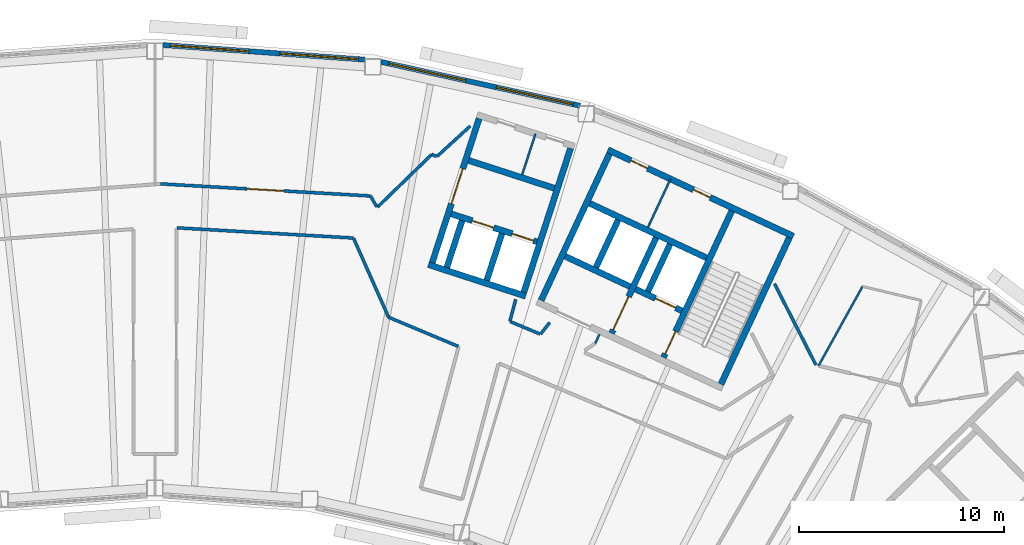
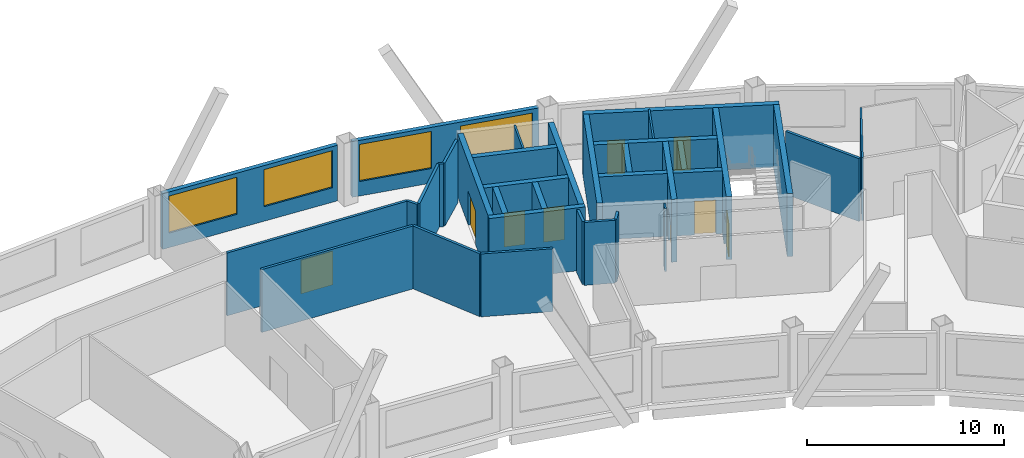
# One storey, part 9 of 13: 35 walls, 9 doors, 4 windows, 13 openings.
"""IFC4 building model written with IfcOpenShell, lengths in metres."""

from ifc_helpers import new_model, si_unit, direction, frame, frame_2d, origin, place, context, subcontext, project, spatial, rectangle, extrude, material, layer, layer_set, type_object, element, fill, save


model = new_model("IFC4")

# Units and contexts
model_context = context("Model", 3, precision=1e-05, world=origin(), true_north=direction((0.0, 1.0)))
body_context = subcontext(model_context, "Body", "Model", "MODEL_VIEW")
ifc_project = project(units=[si_unit("LENGTHUNIT", "METRE"), si_unit("AREAUNIT", "SQUARE_METRE"), si_unit("VOLUMEUNIT", "CUBIC_METRE"), si_unit("PLANEANGLEUNIT", "RADIAN"), si_unit("MASSUNIT", "GRAM", prefix="KILO")], contexts=[model_context])

# Site, building, storey
site_placement = place(None, origin())
site = spatial("IfcSite", under=ifc_project, at=site_placement, CompositionType="ELEMENT")
building_placement = place(site_placement, origin())
building = spatial("IfcBuilding", under=site, at=building_placement, Name="Tuul Gate Civic Tower", CompositionType="ELEMENT")
storey_placement = place(building_placement, frame((0.0, 0.0, 294.199951171875)))
storey = spatial("IfcBuildingStorey", under=building, at=storey_placement, Name="Level 66", CompositionType="ELEMENT", Elevation=294.199951171875)

# Wall, opening, door
ifc_material_1 = material(Name="Concrete C50/60", Category="concrete")
ifc_layer_1 = layer(ifc_material_1, 0.300048828125)
ifc_layer_set_1 = layer_set([ifc_layer_1], Name="Concrete C50/60")
wall_type_1 = type_object("IfcWallType", Name="Core wall C50/60", PredefinedType="SHEAR", material=ifc_layer_set_1)
wall_1_placement = place(storey_placement, frame((32.545654296875, -3.456787109375, 0.0), z_axis=(0.0, 0.0, 1.0), x_axis=(-0.906300357825, 0.42263419337, 0.0)))
wall_1 = element("IfcWall", 1, at=wall_1_placement, inside=storey, type_object=wall_type_1, Name="Core wall", PredefinedType="SHEAR", context=body_context, shape_type="SweptSolid", body=[
    extrude(rectangle(XDim=2.500244140625, YDim=0.300048828125, at=frame_2d((1.25, 0.0))), origin(), (0.0, 0.0, 1.0), 3.900146484375),
])
opening_1_placement = place(wall_1_placement, frame((0.324951171875, 0.0, 0.0)))
opening_1 = element("IfcOpeningElement", 2, at=opening_1_placement, cuts=wall_1, Name="Opening LD-FF-2", PredefinedType="OPENING", context=body_context, shape_type="SweptSolid", body=[
    extrude(rectangle(XDim=1.10009765625, YDim=2.10009765625, at=frame_2d((0.550048828125, 1.050048828125))), frame((0.0, 0.16015625, 0.0), z_axis=(0.0, -1.0, 0.0), x_axis=(1.0, 0.0, 0.0)), (0.0, 0.0, 1.0), 0.320068359375),
])
ifc_material_2 = material(Name="Stainless steel", Category="steel")
door_type_1 = type_object("IfcDoorType", Name="Landing door", OperationType="DOUBLE_DOOR_SLIDING", PredefinedType="DOOR", material=ifc_material_2)
door_1_placement = place(opening_1_placement, origin())
door_1 = element("IfcDoor", 3, at=door_1_placement, inside=storey, type_object=door_type_1, Name="Fire-fighting lift FF-2 landing door", OperationType="DOUBLE_DOOR_SLIDING", OverallHeight=2.10009765625, OverallWidth=1.10009765625, PredefinedType="DOOR", context=body_context, shape_type="SweptSolid", body=[
    extrude(rectangle(XDim=1.10009765625, YDim=2.10009765625, at=frame_2d((0.550048828125, 1.050048828125))), frame((0.0, 0.02490234375, 0.0), z_axis=(0.0, -1.0, 0.0), x_axis=(1.0, 0.0, 0.0)), (0.0, 0.0, 1.0), 0.050048828125),
])
fill(opening_1, door_1)

# Walls
wall_2_placement = place(storey_placement, frame((30.0078125, -2.2734375, 0.0), z_axis=(0.0, 0.0, 1.0), x_axis=(-0.90630071767, 0.422633421716, 0.0)))
element("IfcWall", 4, at=wall_2_placement, inside=storey, type_object=wall_type_1, Name="Core wall", PredefinedType="SHEAR", context=body_context, shape_type="SweptSolid", body=[
    extrude(rectangle(XDim=3.5, YDim=0.300048828125, at=frame_2d((1.75, 0.0))), origin(), (0.0, 0.0, 1.0), 3.900146484375),
])
wall_3_placement = place(storey_placement, frame((33.75, -0.873779296875, 0.0), z_axis=(0.0, 0.0, 1.0), x_axis=(-0.906300917592, 0.422632992999, 0.0)))
element("IfcWall", 5, at=wall_3_placement, inside=storey, type_object=wall_type_1, Name="Core wall", PredefinedType="SHEAR", context=body_context, shape_type="SweptSolid", body=[
    extrude(rectangle(XDim=6.300048828125, YDim=0.300048828125, at=frame_2d((3.14990234375, 0.0))), origin(), (0.0, 0.0, 1.0), 3.900146484375),
])

# Wall, openings, doors
wall_4_placement = place(storey_placement, frame((37.993408203125, 0.181884765625, 0.0), z_axis=(0.0, 0.0, 1.0), x_axis=(-0.906310338845, 0.422612789327, 0.0)))
wall_4 = element("IfcWall", 6, at=wall_4_placement, inside=storey, type_object=wall_type_1, Name="Core wall", PredefinedType="SHEAR", context=body_context, shape_type="SweptSolid", body=[
    extrude(rectangle(XDim=9.999755859375, YDim=0.300048828125, at=frame_2d((5.0, 0.0))), origin(), (0.0, 0.0, 1.0), 3.900146484375),
])
opening_2_placement = place(wall_4_placement, frame((4.487548828125, 0.0, 0.0)))
opening_2 = element("IfcOpeningElement", 7, at=opening_2_placement, cuts=wall_4, Name="Opening Y-D19", PredefinedType="OPENING", context=body_context, shape_type="SweptSolid", body=[
    extrude(rectangle(XDim=0.89990234375, YDim=2.10009765625, at=frame_2d((0.449951171875, 1.050048828125))), frame((0.0, 0.16015625, 0.0), z_axis=(0.0, -1.0, 0.0), x_axis=(1.0, 0.0, 0.0)), (0.0, 0.0, 1.0), 0.320068359375),
])
opening_3_placement = place(wall_4_placement, frame((7.862548828125, 0.0, 0.0)))
opening_3 = element("IfcOpeningElement", 8, at=opening_3_placement, cuts=wall_4, Name="Opening Y-D20", PredefinedType="OPENING", context=body_context, shape_type="SweptSolid", body=[
    extrude(rectangle(XDim=0.89990234375, YDim=2.10009765625, at=frame_2d((0.449951171875, 1.050048828125))), frame((0.0, 0.16015625, 0.0), z_axis=(0.0, -1.0, 0.0), x_axis=(1.0, 0.0, 0.0)), (0.0, 0.0, 1.0), 0.320068359375),
])
ifc_material_3 = material(Name="Timber door leaf", Category="wood")
door_type_2 = type_object("IfcDoorType", Name="Door D09", OperationType="NOTDEFINED", PredefinedType="DOOR", material=ifc_material_3)
door_2_placement = place(opening_2_placement, origin())
door_2 = element("IfcDoor", 9, at=door_2_placement, inside=storey, type_object=door_type_2, Name="Door Y-D19", OperationType="SINGLE_SWING_LEFT", OverallHeight=2.10009765625, OverallWidth=0.89990234375, PredefinedType="DOOR", context=body_context, shape_type="SweptSolid", body=[
    extrude(rectangle(XDim=0.89990234375, YDim=2.10009765625, at=frame_2d((0.449951171875, 1.050048828125))), frame((0.0, 0.02490234375, 0.0), z_axis=(0.0, -1.0, 0.0), x_axis=(1.0, 0.0, 0.0)), (0.0, 0.0, 1.0), 0.050048828125),
])
fill(opening_2, door_2)
door_3_placement = place(opening_3_placement, origin())
door_3 = element("IfcDoor", 10, at=door_3_placement, inside=storey, type_object=door_type_2, Name="Door Y-D20", OperationType="SINGLE_SWING_RIGHT", OverallHeight=2.10009765625, OverallWidth=0.89990234375, PredefinedType="DOOR", context=body_context, shape_type="SweptSolid", body=[
    extrude(rectangle(XDim=0.89990234375, YDim=2.10009765625, at=frame_2d((0.449951171875, 1.050048828125))), frame((0.0, 0.02490234375, 0.0), z_axis=(0.0, -1.0, 0.0), x_axis=(1.0, 0.0, 0.0)), (0.0, 0.0, 1.0), 0.050048828125),
])
fill(opening_3, door_3)

# Wall
wall_5_placement = place(storey_placement, frame((34.455810546875, -7.05078125, 0.0), z_axis=(0.0, 0.0, 1.0), x_axis=(0.422570768258, 0.906329932096, 0.0)))
element("IfcWall", 11, at=wall_5_placement, inside=storey, type_object=wall_type_1, Name="Core wall", PredefinedType="SHEAR", context=body_context, shape_type="SweptSolid", body=[
    extrude(rectangle(XDim=7.900146484375, YDim=0.300048828125, at=frame_2d((3.9501953125, 0.0))), origin(), (0.0, 0.0, 1.0), 3.900146484375),
])

# Wall, opening, door
wall_6_placement = place(storey_placement, frame((31.646240234375, -5.740478515625, 0.0), z_axis=(0.0, 0.0, 1.0), x_axis=(0.422582604137, 0.906324413596, 0.0)))
wall_6 = element("IfcWall", 12, at=wall_6_placement, inside=storey, type_object=wall_type_1, Name="Core wall", PredefinedType="SHEAR", context=body_context, shape_type="SweptSolid", body=[
    extrude(rectangle(XDim=7.89990234375, YDim=0.300048828125, at=frame_2d((3.949951171875, 0.0))), origin(), (0.0, 0.0, 1.0), 3.900146484375),
])
opening_4_placement = place(wall_6_placement, frame((0.199951171875, 0.0, 0.0)))
opening_4 = element("IfcOpeningElement", 13, at=opening_4_placement, cuts=wall_6, Name="Opening SD-ST-4", PredefinedType="OPENING", context=body_context, shape_type="SweptSolid", body=[
    extrude(rectangle(XDim=1.199951171875, YDim=2.10009765625, at=frame_2d((0.60009765625, 1.050048828125))), frame((0.0, 0.16015625, 0.0), z_axis=(0.0, -1.0, 0.0), x_axis=(1.0, 0.0, 0.0)), (0.0, 0.0, 1.0), 0.320068359375),
])
ifc_material_4 = material(Name="Steel", Category="steel")
door_type_3 = type_object("IfcDoorType", Name="Stair door", OperationType="NOTDEFINED", PredefinedType="DOOR", material=ifc_material_4)
door_4_placement = place(opening_4_placement, origin())
door_4 = element("IfcDoor", 14, at=door_4_placement, inside=storey, type_object=door_type_3, Name="Stair door ST-4", OperationType="SINGLE_SWING_LEFT", OverallHeight=2.10009765625, OverallWidth=1.199951171875, PredefinedType="DOOR", context=body_context, shape_type="SweptSolid", body=[
    extrude(rectangle(XDim=1.199951171875, YDim=2.10009765625, at=frame_2d((0.60009765625, 1.050048828125))), frame((0.0, 0.02490234375, 0.0), z_axis=(0.0, -1.0, 0.0), x_axis=(1.0, 0.0, 0.0)), (0.0, 0.0, 1.0), 0.050048828125),
])
fill(opening_4, door_4)

# Wall
wall_7_placement = place(storey_placement, frame((30.886962890625, -2.517822265625, 0.0), z_axis=(0.0, 0.0, 1.0), x_axis=(0.422612891016, 0.906310291427, 0.0)))
element("IfcWall", 15, at=wall_7_placement, inside=storey, type_object=wall_type_1, Name="Core wall", PredefinedType="SHEAR", context=body_context, shape_type="SweptSolid", body=[
    extrude(rectangle(XDim=2.550048828125, YDim=0.300048828125, at=frame_2d((1.27490234375, 0.0))), origin(), (0.0, 0.0, 1.0), 3.900146484375),
])

# Wall, opening, door
wall_8_placement = place(storey_placement, frame((29.108642578125, -4.557373046875, 0.0), z_axis=(0.0, 0.0, 1.0), x_axis=(0.422566235356, 0.90633204552, 0.0)))
wall_8 = element("IfcWall", 16, at=wall_8_placement, inside=storey, type_object=wall_type_1, Name="Core wall", PredefinedType="SHEAR", context=body_context, shape_type="SweptSolid", body=[
    extrude(rectangle(XDim=5.150146484375, YDim=0.300048828125, at=frame_2d((2.5751953125, 0.0))), origin(), (0.0, 0.0, 1.0), 3.900146484375),
])
opening_5_placement = place(wall_8_placement, frame((0.175048828125, 0.0, 0.0)))
opening_5 = element("IfcOpeningElement", 17, at=opening_5_placement, cuts=wall_8, Name="Opening LB-E3-FLOBBY-1", PredefinedType="OPENING", context=body_context, shape_type="SweptSolid", body=[
    extrude(rectangle(XDim=1.800048828125, YDim=2.10009765625, at=frame_2d((0.89990234375, 1.050048828125))), frame((0.0, 0.16015625, 0.0), z_axis=(0.0, -1.0, 0.0), x_axis=(1.0, 0.0, 0.0)), (0.0, 0.0, 1.0), 0.320068359375),
])
ifc_material_5 = material(Name="Steel", Category="steel")
door_type_4 = type_object("IfcDoorType", Name="Lobby door", OperationType="DOUBLE_DOOR_SINGLE_SWING", PredefinedType="DOOR", material=ifc_material_5)
door_5_placement = place(opening_5_placement, frame((1.800048828125, 0.0, 0.0), z_axis=(0.0, 0.0, 1.0), x_axis=(-1.0, 0.0, 0.0)))
door_5 = element("IfcDoor", 18, at=door_5_placement, inside=storey, type_object=door_type_4, Name="Lobby door E3-FLOBBY", OperationType="DOUBLE_DOOR_SINGLE_SWING", OverallHeight=2.10009765625, OverallWidth=1.800048828125, PredefinedType="DOOR", context=body_context, shape_type="SweptSolid", body=[
    extrude(rectangle(XDim=1.800048828125, YDim=2.10009765625, at=frame_2d((0.900146484375, 1.050048828125))), frame((0.0, 0.02490234375, 0.0), z_axis=(0.0, -1.0, 0.0), x_axis=(1.0, 0.0, 0.0)), (0.0, 0.0, 1.0), 0.050048828125),
])
fill(opening_5, door_5)

# Walls
wall_9_placement = place(storey_placement, frame((28.349365234375, -1.33447265625, 0.0), z_axis=(0.0, 0.0, 1.0), x_axis=(0.422612891016, 0.906310291427, 0.0)))
element("IfcWall", 19, at=wall_9_placement, inside=storey, type_object=wall_type_1, Name="Core wall", PredefinedType="SHEAR", context=body_context, shape_type="SweptSolid", body=[
    extrude(rectangle(XDim=2.550048828125, YDim=0.300048828125, at=frame_2d((1.27490234375, 0.0))), origin(), (0.0, 0.0, 1.0), 3.900146484375),
])
wall_10_placement = place(storey_placement, frame((25.66455078125, -2.951416015625, 0.0), z_axis=(0.0, 0.0, 1.0), x_axis=(0.422582604137, 0.906324413596, 0.0)))
element("IfcWall", 20, at=wall_10_placement, inside=storey, type_object=wall_type_1, Name="Core wall", PredefinedType="SHEAR", context=body_context, shape_type="SweptSolid", body=[
    extrude(rectangle(XDim=7.89990234375, YDim=0.300048828125, at=frame_2d((3.949951171875, 0.0))), origin(), (0.0, 0.0, 1.0), 3.900146484375),
])
ifc_material_6 = material(Name="Gypsum board partition")
ifc_layer_2 = layer(ifc_material_6, 0.14990234375)
ifc_layer_set_2 = layer_set([ifc_layer_2], Name="Gypsum board partition")
wall_type_2 = type_object("IfcWallType", Name="Corridor wall P150", PredefinedType="PARTITIONING", material=ifc_layer_set_2)
wall_11_placement = place(storey_placement, frame((37.075439453125, -2.14208984375, 0.0), z_axis=(0.0, 0.0, 1.0), x_axis=(0.453959474971, -0.891022331417, 0.0)))
element("IfcWall", 21, at=wall_11_placement, inside=storey, type_object=wall_type_2, Name="p022", PredefinedType="PARTITIONING", context=body_context, shape_type="SweptSolid", body=[
    extrude(rectangle(XDim=4.4501953125, YDim=0.14990234375, at=frame_2d((2.22509765625, 0.0))), origin(), (0.0, 0.0, 1.0), 3.900146484375),
])
wall_12_placement = place(storey_placement, frame((25.64404296875, -4.59423828125, 0.0), z_axis=(0.0, 0.0, 1.0), x_axis=(0.619199282054, 0.785233881785, 0.0)))
element("IfcWall", 22, at=wall_12_placement, inside=storey, type_object=wall_type_2, Name="p023", PredefinedType="PARTITIONING", context=body_context, shape_type="SweptSolid", body=[
    extrude(rectangle(XDim=0.711669921875, YDim=0.14990234375, at=frame_2d((0.35595703125, 0.0))), origin(), (0.0, 0.0, 1.0), 3.900146484375),
])
wall_13_placement = place(storey_placement, frame((24.15283203125, -3.986572265625, 0.0), z_axis=(0.0, 0.0, 1.0), x_axis=(0.922499435941, -0.385998433532, 0.0)))
element("IfcWall", 23, at=wall_13_placement, inside=storey, type_object=wall_type_2, Name="p024", PredefinedType="PARTITIONING", context=body_context, shape_type="SweptSolid", body=[
    extrude(rectangle(XDim=1.59130859375, YDim=0.14990234375, at=frame_2d((0.795654296875, 0.0))), origin(), (0.0, 0.0, 1.0), 3.900146484375),
])
wall_14_placement = place(storey_placement, frame((24.140625, -3.963623046875, 0.0), z_axis=(0.0, 0.0, 1.0), x_axis=(0.258050314511, 0.966131479241, 0.0)))
element("IfcWall", 24, at=wall_14_placement, inside=storey, type_object=wall_type_2, Name="p027", PredefinedType="PARTITIONING", context=body_context, shape_type="SweptSolid", body=[
    extrude(rectangle(XDim=1.097412109375, YDim=0.14990234375, at=frame_2d((0.548828125, 0.0))), origin(), (0.0, 0.0, 1.0), 3.900146484375),
])
wall_15_placement = place(storey_placement, frame((20.5771484375, 4.085205078125, 0.0), z_axis=(0.0, 0.0, 1.0), x_axis=(0.738095276919, 0.674696496352, 0.0)))
element("IfcWall", 25, at=wall_15_placement, inside=storey, type_object=wall_type_2, Name="p028", PredefinedType="PARTITIONING", context=body_context, shape_type="SweptSolid", body=[
    extrude(rectangle(XDim=2.195068359375, YDim=0.14990234375, at=frame_2d((1.09765625, 0.0))), origin(), (0.0, 0.0, 1.0), 3.900146484375),
])
wall_16_placement = place(storey_placement, frame((20.3173828125, 4.1796875, 0.0), z_axis=(0.0, 0.0, 1.0), x_axis=(0.928476690885, -0.371390676354, 0.0)))
element("IfcWall", 26, at=wall_16_placement, inside=storey, type_object=wall_type_2, Name="p029", PredefinedType="PARTITIONING", context=body_context, shape_type="SweptSolid", body=[
    extrude(rectangle(XDim=0.26025390625, YDim=0.14990234375, at=frame_2d((0.130126953125, 0.0))), origin(), (0.0, 0.0, 1.0), 3.900146484375),
])
wall_17_placement = place(storey_placement, frame((17.670166015625, 1.610595703125, 0.0), z_axis=(0.0, 0.0, 1.0), x_axis=(0.717616685687, 0.696438290463, 0.0)))
element("IfcWall", 27, at=wall_17_placement, inside=storey, type_object=wall_type_2, Name="p030", PredefinedType="PARTITIONING", context=body_context, shape_type="SweptSolid", body=[
    extrude(rectangle(XDim=3.68896484375, YDim=0.14990234375, at=frame_2d((1.844482421875, 0.0))), origin(), (0.0, 0.0, 1.0), 3.900146484375),
])
wall_18_placement = place(storey_placement, frame((17.321533203125, 2.152587890625, 0.0), z_axis=(0.0, 0.0, 1.0), x_axis=(0.507806382702, -0.861471228589, 0.0)))
element("IfcWall", 28, at=wall_18_placement, inside=storey, type_object=wall_type_2, Name="p031", PredefinedType="PARTITIONING", context=body_context, shape_type="SweptSolid", body=[
    extrude(rectangle(XDim=0.6240234375, YDim=0.14990234375, at=frame_2d((0.31201171875, 0.0))), origin(), (0.0, 0.0, 1.0), 3.900146484375),
])

# Wall, opening, door
wall_19_placement = place(storey_placement, frame((7.068115234375, 2.7431640625, 0.0), z_axis=(0.0, 0.0, 1.0), x_axis=(0.998345352169, -0.057502676482, 0.0)))
wall_19 = element("IfcWall", 29, at=wall_19_placement, inside=storey, type_object=wall_type_2, Name="p032", PredefinedType="PARTITIONING", context=body_context, shape_type="SweptSolid", body=[
    extrude(rectangle(XDim=10.2705078125, YDim=0.14990234375, at=frame_2d((5.13525390625, 0.0))), origin(), (0.0, 0.0, 1.0), 3.900146484375),
])
opening_6_placement = place(wall_19_placement, frame((4.235107421875, 0.0, 0.0)))
opening_6 = element("IfcOpeningElement", 30, at=opening_6_placement, cuts=wall_19, Name="Opening Y-D04", PredefinedType="OPENING", context=body_context, shape_type="SweptSolid", body=[
    extrude(rectangle(XDim=1.800048828125, YDim=2.10009765625, at=frame_2d((0.89990234375, 1.050048828125))), frame((0.0, 0.0849609375, 0.0), z_axis=(0.0, -1.0, 0.0), x_axis=(1.0, 0.0, 0.0)), (0.0, 0.0, 1.0), 0.169921875),
])
ifc_material_7 = material(Name="Timber door leaf, double", Category="wood")
door_type_5 = type_object("IfcDoorType", Name="Door D18", OperationType="DOUBLE_DOOR_SINGLE_SWING", PredefinedType="DOOR", material=ifc_material_7)
door_6_placement = place(opening_6_placement, origin())
door_6 = element("IfcDoor", 31, at=door_6_placement, inside=storey, type_object=door_type_5, Name="Door Y-D04", OperationType="DOUBLE_DOOR_SINGLE_SWING", OverallHeight=2.10009765625, OverallWidth=1.800048828125, PredefinedType="DOOR", context=body_context, shape_type="SweptSolid", body=[
    extrude(rectangle(XDim=1.800048828125, YDim=2.10009765625, at=frame_2d((0.89990234375, 1.050048828125))), frame((0.0, 0.02490234375, 0.0), z_axis=(0.0, -1.0, 0.0), x_axis=(1.0, 0.0, 0.0)), (0.0, 0.0, 1.0), 0.050048828125),
])
fill(opening_6, door_6)

# Walls
wall_20_placement = place(storey_placement, frame((18.20849609375, -3.77490234375, 0.0), z_axis=(0.0, 0.0, 1.0), x_axis=(0.922448104273, -0.386121088421, 0.0)))
element("IfcWall", 32, at=wall_20_placement, inside=storey, type_object=wall_type_2, Name="p053", PredefinedType="PARTITIONING", context=body_context, shape_type="SweptSolid", body=[
    extrude(rectangle(XDim=3.694580078125, YDim=0.14990234375, at=frame_2d((1.84716796875, 0.0))), origin(), (0.0, 0.0, 1.0), 3.900146484375),
])
wall_21_placement = place(storey_placement, frame((7.85986328125, 0.593994140625, 0.0), z_axis=(0.0, 0.0, 1.0), x_axis=(0.998344815666, -0.057511990344, 0.0)))
element("IfcWall", 33, at=wall_21_placement, inside=storey, type_object=wall_type_2, Name="p062", PredefinedType="PARTITIONING", context=body_context, shape_type="SweptSolid", body=[
    extrude(rectangle(XDim=8.634521484375, YDim=0.14990234375, at=frame_2d((4.3173828125, 0.0))), origin(), (0.0, 0.0, 1.0), 3.900146484375),
])
wall_22_placement = place(storey_placement, frame((16.497802734375, 0.085205078125, 0.0), z_axis=(0.0, 0.0, 1.0), x_axis=(0.405167164642, -0.914242620258, 0.0)))
element("IfcWall", 34, at=wall_22_placement, inside=storey, type_object=wall_type_2, Name="p063", PredefinedType="PARTITIONING", context=body_context, shape_type="SweptSolid", body=[
    extrude(rectangle(XDim=4.22216796875, YDim=0.14990234375, at=frame_2d((2.111083984375, 0.0))), origin(), (0.0, 0.0, 1.0), 3.900146484375),
])

# Wall, openings, windows
ifc_material_8 = material(Name="Precast concrete C40/50", Category="concrete")
ifc_layer_3 = layer(ifc_material_8, 0.25)
ifc_layer_set_3 = layer_set([ifc_layer_3], Name="Precast concrete C40/50")
wall_type_3 = type_object("IfcWallType", Name="External wall", PredefinedType="STANDARD", material=ifc_layer_set_3)
wall_23_placement = place(storey_placement, frame((27.56201171875, 6.56201171875, 0.0), z_axis=(0.0, 0.0, 1.0), x_axis=(-0.976565167079, 0.215221919071, 0.0)))
wall_23 = element("IfcWall", 35, at=wall_23_placement, inside=storey, type_object=wall_type_3, Name="External wall", PredefinedType="STANDARD", context=body_context, shape_type="SweptSolid", body=[
    extrude(rectangle(XDim=9.95751953125, YDim=0.25, at=frame_2d((4.978759765625, 0.0))), origin(), (0.0, 0.0, 1.0), 3.449951171875),
])
opening_7_placement = place(wall_23_placement, frame((0.3466796875, 0.0, 0.89990234375)))
opening_7 = element("IfcOpeningElement", 36, at=opening_7_placement, cuts=wall_23, Name="Opening W22", PredefinedType="OPENING", context=body_context, shape_type="SweptSolid", body=[
    extrude(rectangle(XDim=3.85009765625, YDim=2.300048828125, at=frame_2d((1.925048828125, 1.14990234375))), frame((0.0, 0.135009765625, 0.0), z_axis=(0.0, -1.0, 0.0), x_axis=(1.0, 0.0, 0.0)), (0.0, 0.0, 1.0), 0.27001953125),
])
opening_8_placement = place(wall_23_placement, frame((5.717529296875, 0.0, 0.89990234375)))
opening_8 = element("IfcOpeningElement", 37, at=opening_8_placement, cuts=wall_23, Name="Opening W22", PredefinedType="OPENING", context=body_context, shape_type="SweptSolid", body=[
    extrude(rectangle(XDim=3.85009765625, YDim=2.300048828125, at=frame_2d((1.925048828125, 1.14990234375))), frame((0.0, 0.135009765625, 0.0), z_axis=(0.0, -1.0, 0.0), x_axis=(1.0, 0.0, 0.0)), (0.0, 0.0, 1.0), 0.27001953125),
])
ifc_material_9 = material(Name="Glass", Category="glass")
window_type = type_object("IfcWindowType", Name="Window W22 3850 x 2300", PartitioningType="SINGLE_PANEL", PredefinedType="WINDOW", material=ifc_material_9)
window_1_placement = place(opening_7_placement, origin())
window_1 = element("IfcWindow", 38, at=window_1_placement, inside=storey, type_object=window_type, Name="Window", OverallHeight=2.300048828125, OverallWidth=3.85009765625, PartitioningType="SINGLE_PANEL", PredefinedType="WINDOW", context=body_context, shape_type="SweptSolid", body=[
    extrude(rectangle(XDim=3.85009765625, YDim=2.300048828125, at=frame_2d((1.925048828125, 1.14990234375))), frame((0.0, 0.030029296875, 0.0), z_axis=(0.0, -1.0, 0.0), x_axis=(1.0, 0.0, 0.0)), (0.0, 0.0, 1.0), 0.06005859375),
])
fill(opening_7, window_1)
window_2_placement = place(opening_8_placement, origin())
window_2 = element("IfcWindow", 39, at=window_2_placement, inside=storey, type_object=window_type, Name="Window", OverallHeight=2.300048828125, OverallWidth=3.85009765625, PartitioningType="SINGLE_PANEL", PredefinedType="WINDOW", context=body_context, shape_type="SweptSolid", body=[
    extrude(rectangle(XDim=3.85009765625, YDim=2.300048828125, at=frame_2d((1.925048828125, 1.14990234375))), frame((0.0, 0.030029296875, 0.0), z_axis=(0.0, -1.0, 0.0), x_axis=(1.0, 0.0, 0.0)), (0.0, 0.0, 1.0), 0.06005859375),
])
fill(opening_8, window_2)

wall_24_placement = place(storey_placement, frame((17.0380859375, 8.8154296875, 0.0), z_axis=(0.0, 0.0, 1.0), x_axis=(-0.997387687721, 0.072234343517, 0.0)))
wall_24 = element("IfcWall", 40, at=wall_24_placement, inside=storey, type_object=wall_type_3, Name="External wall", PredefinedType="STANDARD", context=body_context, shape_type="SweptSolid", body=[
    extrude(rectangle(XDim=9.8759765625, YDim=0.25, at=frame_2d((4.93798828125, 0.0))), origin(), (0.0, 0.0, 1.0), 3.449951171875),
])
opening_9_placement = place(wall_24_placement, frame((0.3037109375, 0.0, 0.89990234375)))
opening_9 = element("IfcOpeningElement", 41, at=opening_9_placement, cuts=wall_24, Name="Opening W22", PredefinedType="OPENING", context=body_context, shape_type="SweptSolid", body=[
    extrude(rectangle(XDim=3.85009765625, YDim=2.300048828125, at=frame_2d((1.925048828125, 1.14990234375))), frame((0.0, 0.135009765625, 0.0), z_axis=(0.0, -1.0, 0.0), x_axis=(1.0, 0.0, 0.0)), (0.0, 0.0, 1.0), 0.27001953125),
])
opening_10_placement = place(wall_24_placement, frame((5.675048828125, 0.0, 0.89990234375)))
opening_10 = element("IfcOpeningElement", 42, at=opening_10_placement, cuts=wall_24, Name="Opening W22", PredefinedType="OPENING", context=body_context, shape_type="SweptSolid", body=[
    extrude(rectangle(XDim=3.85009765625, YDim=2.300048828125, at=frame_2d((1.925048828125, 1.14990234375))), frame((0.0, 0.135009765625, 0.0), z_axis=(0.0, -1.0, 0.0), x_axis=(1.0, 0.0, 0.0)), (0.0, 0.0, 1.0), 0.27001953125),
])
window_3_placement = place(opening_9_placement, origin())
window_3 = element("IfcWindow", 43, at=window_3_placement, inside=storey, type_object=window_type, Name="Window", OverallHeight=2.300048828125, OverallWidth=3.85009765625, PartitioningType="SINGLE_PANEL", PredefinedType="WINDOW", context=body_context, shape_type="SweptSolid", body=[
    extrude(rectangle(XDim=3.85009765625, YDim=2.300048828125, at=frame_2d((1.925048828125, 1.14990234375))), frame((0.0, 0.030029296875, 0.0), z_axis=(0.0, -1.0, 0.0), x_axis=(1.0, 0.0, 0.0)), (0.0, 0.0, 1.0), 0.06005859375),
])
fill(opening_9, window_3)
window_4_placement = place(opening_10_placement, origin())
window_4 = element("IfcWindow", 44, at=window_4_placement, inside=storey, type_object=window_type, Name="Window", OverallHeight=2.300048828125, OverallWidth=3.85009765625, PartitioningType="SINGLE_PANEL", PredefinedType="WINDOW", context=body_context, shape_type="SweptSolid", body=[
    extrude(rectangle(XDim=3.85009765625, YDim=2.300048828125, at=frame_2d((1.925048828125, 1.14990234375))), frame((0.0, 0.030029296875, 0.0), z_axis=(0.0, -1.0, 0.0), x_axis=(1.0, 0.0, 0.0)), (0.0, 0.0, 1.0), 0.06005859375),
])
fill(opening_10, window_4)

# Wall
ifc_material_10 = material(Name="Concrete C40/50", Category="concrete")
ifc_layer_4 = layer(ifc_material_10, 0.300048828125)
ifc_layer_set_4 = layer_set([ifc_layer_4], Name="Concrete C40/50")
wall_type_4 = type_object("IfcWallType", Name="Lift shaft wall C40/50", PredefinedType="STANDARD", material=ifc_layer_set_4)
wall_25_placement = place(storey_placement, frame((24.911376953125, -2.746337890625, 0.0), z_axis=(0.0, 0.0, 1.0), x_axis=(-0.951067792613, 0.308982287281, 0.0)))
element("IfcWall", 45, at=wall_25_placement, inside=storey, type_object=wall_type_4, Name="Shaft wall", PredefinedType="STANDARD", context=body_context, shape_type="SweptSolid", body=[
    extrude(rectangle(XDim=5.0, YDim=0.300048828125, at=frame_2d((2.5, 0.0))), origin(), (0.0, 0.0, 1.0), 3.900146484375),
])

# Wall, openings, doors
wall_26_placement = place(storey_placement, frame((25.460693359375, -0.0859375, 0.0), z_axis=(0.0, 0.0, 1.0), x_axis=(-0.951063829732, 0.308994485023, 0.0)))
wall_26 = element("IfcWall", 46, at=wall_26_placement, inside=storey, type_object=wall_type_4, Name="Shaft wall", PredefinedType="STANDARD", context=body_context, shape_type="SweptSolid", body=[
    extrude(rectangle(XDim=4.400146484375, YDim=0.300048828125, at=frame_2d((2.2001953125, 0.0))), origin(), (0.0, 0.0, 1.0), 3.900146484375),
])
opening_11_placement = place(wall_26_placement, frame((0.175048828125, 0.0, 0.0)))
opening_11 = element("IfcOpeningElement", 47, at=opening_11_placement, cuts=wall_26, Name="Opening LD-H2", PredefinedType="OPENING", context=body_context, shape_type="SweptSolid", body=[
    extrude(rectangle(XDim=1.10009765625, YDim=2.10009765625, at=frame_2d((0.550048828125, 1.050048828125))), frame((0.0, 0.16015625, 0.0), z_axis=(0.0, -1.0, 0.0), x_axis=(1.0, 0.0, 0.0)), (0.0, 0.0, 1.0), 0.320068359375),
])
opening_12_placement = place(wall_26_placement, frame((2.22509765625, 0.0, 0.0)))
opening_12 = element("IfcOpeningElement", 48, at=opening_12_placement, cuts=wall_26, Name="Opening LD-H3", PredefinedType="OPENING", context=body_context, shape_type="SweptSolid", body=[
    extrude(rectangle(XDim=1.10009765625, YDim=2.10009765625, at=frame_2d((0.550048828125, 1.050048828125))), frame((0.0, 0.16015625, 0.0), z_axis=(0.0, -1.0, 0.0), x_axis=(1.0, 0.0, 0.0)), (0.0, 0.0, 1.0), 0.320068359375),
])
door_7_placement = place(opening_11_placement, origin())
door_7 = element("IfcDoor", 49, at=door_7_placement, inside=storey, type_object=door_type_1, Name="High-rise lift H2 landing door", OperationType="DOUBLE_DOOR_SLIDING", OverallHeight=2.10009765625, OverallWidth=1.10009765625, PredefinedType="DOOR", context=body_context, shape_type="SweptSolid", body=[
    extrude(rectangle(XDim=1.10009765625, YDim=2.10009765625, at=frame_2d((0.550048828125, 1.050048828125))), frame((0.0, 0.02490234375, 0.0), z_axis=(0.0, -1.0, 0.0), x_axis=(1.0, 0.0, 0.0)), (0.0, 0.0, 1.0), 0.050048828125),
])
fill(opening_11, door_7)
door_8_placement = place(opening_12_placement, origin())
door_8 = element("IfcDoor", 50, at=door_8_placement, inside=storey, type_object=door_type_1, Name="High-rise lift H3 landing door", OperationType="DOUBLE_DOOR_SLIDING", OverallHeight=2.10009765625, OverallWidth=1.10009765625, PredefinedType="DOOR", context=body_context, shape_type="SweptSolid", body=[
    extrude(rectangle(XDim=1.10009765625, YDim=2.10009765625, at=frame_2d((0.550048828125, 1.050048828125))), frame((0.0, 0.02490234375, 0.0), z_axis=(0.0, -1.0, 0.0), x_axis=(1.0, 0.0, 0.0)), (0.0, 0.0, 1.0), 0.050048828125),
])
fill(opening_12, door_8)

# Walls
wall_27_placement = place(storey_placement, frame((26.310546875, 2.529541015625, 0.0), z_axis=(0.0, 0.0, 1.0), x_axis=(-0.951058531764, 0.30901079133, 0.0)))
element("IfcWall", 51, at=wall_27_placement, inside=storey, type_object=wall_type_4, Name="Shaft wall", PredefinedType="STANDARD", context=body_context, shape_type="SweptSolid", body=[
    extrude(rectangle(XDim=4.39990234375, YDim=0.300048828125, at=frame_2d((2.199951171875, 0.0))), origin(), (0.0, 0.0, 1.0), 3.900146484375),
])
wall_28_placement = place(storey_placement, frame((24.815185546875, -2.557373046875, 0.0), z_axis=(0.0, 0.0, 1.0), x_axis=(0.30907264409, 0.951038432807, 0.0)))
element("IfcWall", 52, at=wall_28_placement, inside=storey, type_object=wall_type_4, Name="Shaft wall", PredefinedType="STANDARD", context=body_context, shape_type="SweptSolid", body=[
    extrude(rectangle(XDim=7.39990234375, YDim=0.300048828125, at=frame_2d((3.699951171875, 0.0))), origin(), (0.0, 0.0, 1.0), 3.900146484375),
])
for number, where, z_axis, x_axis, name in (
    (53, (23.008056640625, -1.97021484375, 0.0), (0.0, 0.0, 1.0), (0.309138975195, 0.951016873675, 0.0), "Shaft wall"),
    (54, (21.058349609375, -1.336669921875, 0.0), (0.0, 0.0, 1.0), (0.309138975195, 0.951016873675, 0.0), "Shaft wall"),
):
    element("IfcWall", number, at=place(storey_placement, frame(where, z_axis=z_axis, x_axis=x_axis)), inside=storey, type_object=wall_type_4, Name=name, PredefinedType="STANDARD", context=body_context, shape_type="SweptSolid", body=[
        extrude(rectangle(XDim=2.400146484375, YDim=0.300048828125, at=frame_2d((1.2001953125, 0.0))), origin(), (0.0, 0.0, 1.0), 3.900146484375),
    ])

# Wall, opening, door
wall_29_placement = place(storey_placement, frame((20.34521484375, -1.10498046875, 0.0), z_axis=(0.0, 0.0, 1.0), x_axis=(0.30907264409, 0.951038432807, 0.0)))
wall_29 = element("IfcWall", 55, at=wall_29_placement, inside=storey, type_object=wall_type_4, Name="Shaft wall", PredefinedType="STANDARD", context=body_context, shape_type="SweptSolid", body=[
    extrude(rectangle(XDim=7.39990234375, YDim=0.300048828125, at=frame_2d((3.699951171875, 0.0))), origin(), (0.0, 0.0, 1.0), 3.900146484375),
])
opening_13_placement = place(wall_29_placement, frame((3.02490234375, 0.0, 0.0)))
opening_13 = element("IfcOpeningElement", 56, at=opening_13_placement, cuts=wall_29, Name="Opening LB-E4-LOBBY-1", PredefinedType="OPENING", context=body_context, shape_type="SweptSolid", body=[
    extrude(rectangle(XDim=1.800048828125, YDim=2.10009765625, at=frame_2d((0.89990234375, 1.050048828125))), frame((0.0, 0.16015625, 0.0), z_axis=(0.0, -1.0, 0.0), x_axis=(1.0, 0.0, 0.0)), (0.0, 0.0, 1.0), 0.320068359375),
])
door_9_placement = place(opening_13_placement, frame((1.800048828125, 0.0, 0.0), z_axis=(0.0, 0.0, 1.0), x_axis=(-1.0, 0.0, 0.0)))
door_9 = element("IfcDoor", 57, at=door_9_placement, inside=storey, type_object=door_type_4, Name="Lobby door E4-LOBBY", OperationType="DOUBLE_DOOR_SINGLE_SWING", OverallHeight=2.10009765625, OverallWidth=1.800048828125, PredefinedType="DOOR", context=body_context, shape_type="SweptSolid", body=[
    extrude(rectangle(XDim=1.800048828125, YDim=2.10009765625, at=frame_2d((0.900146484375, 1.050048828125))), frame((0.0, 0.02490234375, 0.0), z_axis=(0.0, -1.0, 0.0), x_axis=(1.0, 0.0, 0.0)), (0.0, 0.0, 1.0), 0.050048828125),
])
fill(opening_13, door_9)

# Walls
ifc_material_11 = material(Name="Gypsum board partition")
ifc_layer_5 = layer(ifc_material_11, 0.10009765625)
ifc_layer_set_5 = layer_set([ifc_layer_5], Name="Gypsum board partition")
wall_type_5 = type_object("IfcWallType", Name="Partition P100", PredefinedType="PARTITIONING", material=ifc_layer_set_5)
wall_30_placement = place(storey_placement, frame((39.226806640625, -6.146240234375, 0.0), z_axis=(0.0, 0.0, 1.0), x_axis=(0.484819530944, 0.874614213476, 0.0)))
element("IfcWall", 58, at=wall_30_placement, inside=storey, type_object=wall_type_5, Name="p014", PredefinedType="PARTITIONING", context=body_context, shape_type="SweptSolid", body=[
    extrude(rectangle(XDim=4.431884765625, YDim=0.10009765625, at=frame_2d((2.2158203125, 0.0))), origin(), (0.0, 0.0, 1.0), 3.900146484375),
])
wall_31_placement = place(storey_placement, frame((28.31201171875, -5.05078125, 0.0), z_axis=(0.0, 0.0, 1.0), x_axis=(0.422415726181, 0.906402203371, 0.0)))
element("IfcWall", 59, at=wall_31_placement, inside=storey, type_object=wall_type_5, Name="p102", PredefinedType="PARTITIONING", context=body_context, shape_type="SweptSolid", body=[
    extrude(rectangle(XDim=0.483642578125, YDim=0.10009765625, at=frame_2d((0.24169921875, 0.0))), origin(), (0.0, 0.0, 1.0), 3.900146484375),
])
wall_32_placement = place(storey_placement, frame((30.890380859375, 0.625, 0.0), z_axis=(0.0, 0.0, 1.0), x_axis=(0.422597606916, 0.906317418253, 0.0)))
element("IfcWall", 60, at=wall_32_placement, inside=storey, type_object=wall_type_5, Name="bE3-BAND-0", PredefinedType="PARTITIONING", context=body_context, shape_type="SweptSolid", body=[
    extrude(rectangle(XDim=2.600341796875, YDim=0.10009765625, at=frame_2d((1.30029296875, 0.0))), origin(), (0.0, 0.0, 1.0), 3.900146484375),
])
wall_33_placement = place(storey_placement, frame((24.740234375, 3.197509765625, 0.0), z_axis=(0.0, 0.0, 1.0), x_axis=(0.309138649025, 0.951016979701, 0.0)))
element("IfcWall", 61, at=wall_33_placement, inside=storey, type_object=wall_type_5, Name="bE4-BAND-0", PredefinedType="PARTITIONING", context=body_context, shape_type="SweptSolid", body=[
    extrude(rectangle(XDim=2.099853515625, YDim=0.10009765625, at=frame_2d((1.0498046875, 0.0))), origin(), (0.0, 0.0, 1.0), 3.900146484375),
])

save(model, "model.ifc")
